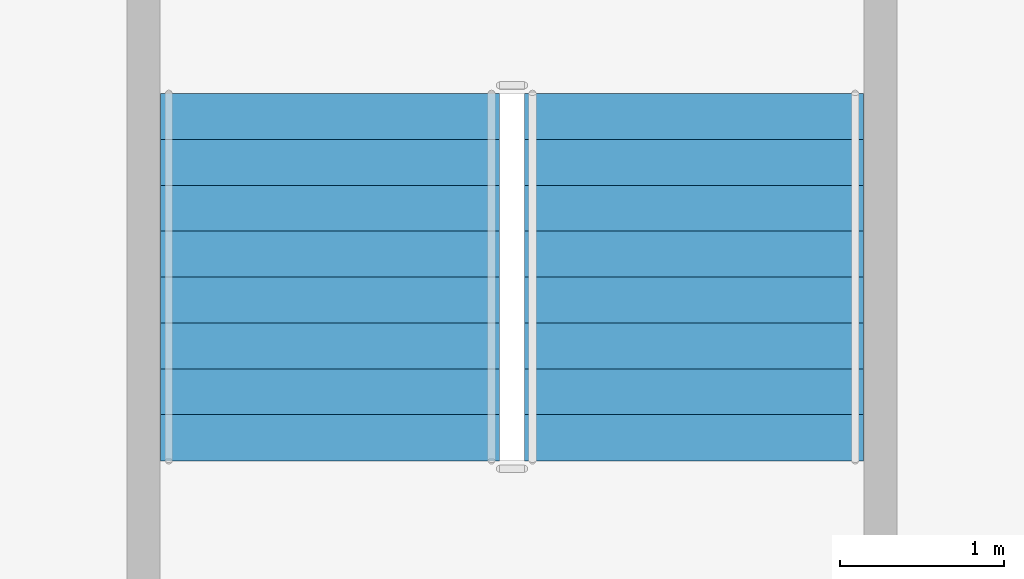
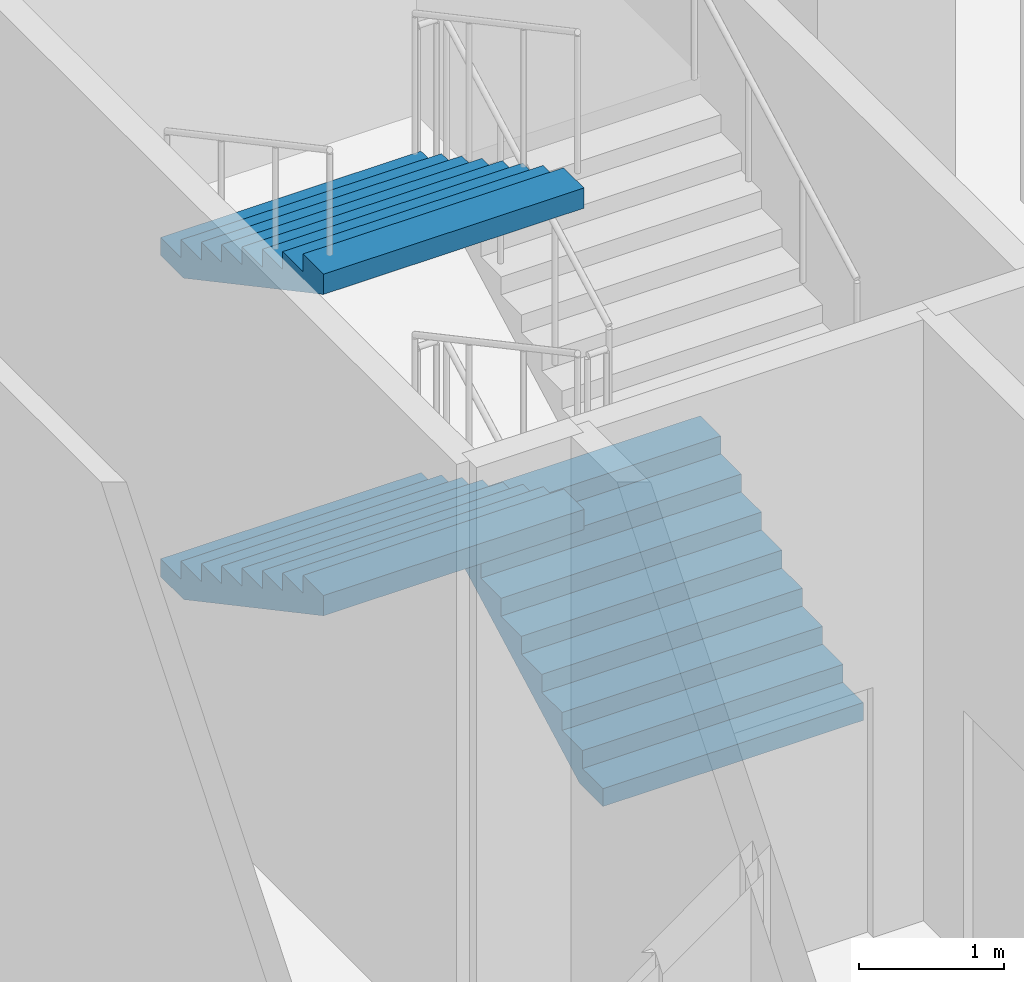
# One storey, part 10 of 27: 3 stair flights, 1 element without a shape of its own.
"""IFC4 building model written with IfcOpenShell, lengths in metres."""

from ifc_helpers import new_model, si_unit, direction, frame, origin, place, context, subcontext, project, spatial, polygons, material, type_object, element, aggregate, save


model = new_model("IFC4")

# Units and contexts
model_context = context("Model", 3, precision=1e-05, world=origin(), true_north=direction((0.0, 1.0)))
body_context = subcontext(model_context, "Body", "Model", "MODEL_VIEW")
ifc_project = project(units=[si_unit("LENGTHUNIT", "METRE"), si_unit("AREAUNIT", "SQUARE_METRE"), si_unit("VOLUMEUNIT", "CUBIC_METRE"), si_unit("PLANEANGLEUNIT", "RADIAN"), si_unit("MASSUNIT", "GRAM", prefix="KILO")], contexts=[model_context])

# Site, building, storey
site_placement = place(None, origin())
site = spatial("IfcSite", under=ifc_project, at=site_placement, CompositionType="ELEMENT")
building_placement = place(site_placement, origin())
building = spatial("IfcBuilding", under=site, at=building_placement, Name="Caravel Reach Hotel and Residences", CompositionType="ELEMENT")
storey_placement = place(building_placement, frame((0.0, 0.0, 6.60009765625)))
storey = spatial("IfcBuildingStorey", under=building, at=storey_placement, Name="L01", CompositionType="ELEMENT", Elevation=6.60009765625)

# Stair, stair flights
ifc_material_1 = material(Name="Concrete C40", Category="concrete")
stair_type = type_object("IfcStairType", Name="Core stair", PredefinedType="HALF_TURN_STAIR", material=ifc_material_1)
stair_placement = place(storey_placement, origin())
stair = element("IfcStair", 1, at=stair_placement, inside=storey, type_object=stair_type, Name="L01 Exit stair P3", PredefinedType="HALF_TURN_STAIR")
ifc_material_2 = material(Name="Concrete C40", Category="concrete")
stair_flight_type = type_object("IfcStairFlightType", Name="Core stair flight", PredefinedType="STRAIGHT", material=ifc_material_2)
stair_flight_1_placement = place(storey_placement, frame((10.110107421875, 13.68994140625, 0.0), z_axis=(0.0, 0.0, 1.0), x_axis=(0.0, 1.0, 0.0)))
stair_flight_1 = element("IfcStairFlight", 2, at=stair_flight_1_placement, type_object=stair_flight_type, Name="ST-P3 flight 1", NumberOfRisers=9, NumberOfTreads=8, PredefinedType="STRAIGHT", RiserHeight=0.15, TreadLength=0.28, context=body_context, shape_type="Tessellation", body=[
    polygons([(0.3174408016601864, 1.0350341796875, 0.0), (0.3174408016601864, 0.6900227864583333, 0.0), (0.3174408016601864, 0.34501139322916663, 0.0), (0.3174408016601864, 0.0, 0.0), (0.3174408016601864, -0.34501139322916674, 0.0), (0.3174408016601864, -0.6900227864583333, 0.0), (0.3174408016601864, -1.0350341796875, 0.0), (2.241, 1.0350341796875, 1.029942427682043), (2.241, 0.6900227864583333, 1.029942427682043), (2.241, 0.34501139322916663, 1.029942427682043), (2.241, 0.0, 1.029942427682043), (2.241, -0.34501139322916674, 1.029942427682043), (2.241, -0.6900227864583333, 1.029942427682043), (2.241, -1.0350341796875, 1.029942427682043), (2.241, 1.0350341796875, 1.2), (2.241, 0.6900227864583333, 1.2), (2.241, 0.34501139322916663, 1.2), (2.241, 0.0, 1.2), (2.241, -0.34501139322916674, 1.2), (2.241, -0.6900227864583333, 1.2), (2.241, -1.0350341796875, 1.2), (1.9600000000000002, 1.0350341796875, 1.2), (1.9600000000000002, 0.6900227864583333, 1.2), (1.9600000000000002, 0.34501139322916663, 1.2), (1.9600000000000002, 0.0, 1.2), (1.9600000000000002, -0.34501139322916674, 1.2), (1.9600000000000002, -0.6900227864583333, 1.2), (1.9600000000000002, -1.0350341796875, 1.2), (1.9600000000000002, 1.0350341796875, 1.05), (1.9600000000000002, 0.6900227864583333, 1.05), (1.9600000000000002, 0.34501139322916663, 1.05), (1.9600000000000002, 0.0, 1.05), (1.9600000000000002, -0.34501139322916674, 1.05), (1.9600000000000002, -0.6900227864583333, 1.05), (1.9600000000000002, -1.0350341796875, 1.05), (1.6800000000000002, 1.0350341796875, 1.05), (1.6800000000000002, 0.6900227864583333, 1.05), (1.6800000000000002, 0.34501139322916663, 1.05), (1.6800000000000002, 0.0, 1.05), (1.6800000000000002, -0.34501139322916674, 1.05), (1.6800000000000002, -0.6900227864583333, 1.05), (1.6800000000000002, -1.0350341796875, 1.05), (1.6800000000000002, 1.0350341796875, 0.8999999999999999), (1.6800000000000002, 0.6900227864583333, 0.8999999999999999), (1.6800000000000002, 0.34501139322916663, 0.8999999999999999), (1.6800000000000002, 0.0, 0.8999999999999999), (1.6800000000000002, -0.34501139322916674, 0.8999999999999999), (1.6800000000000002, -0.6900227864583333, 0.8999999999999999), (1.6800000000000002, -1.0350341796875, 0.8999999999999999), (1.4000000000000001, 1.0350341796875, 0.8999999999999999), (1.4000000000000001, 0.6900227864583333, 0.8999999999999999), (1.4000000000000001, 0.34501139322916663, 0.8999999999999999), (1.4000000000000001, 0.0, 0.8999999999999999), (1.4000000000000001, -0.34501139322916674, 0.8999999999999999), (1.4000000000000001, -0.6900227864583333, 0.8999999999999999), (1.4000000000000001, -1.0350341796875, 0.8999999999999999), (1.4000000000000001, 1.0350341796875, 0.75), (1.4000000000000001, 0.6900227864583333, 0.75), (1.4000000000000001, 0.34501139322916663, 0.75), (1.4000000000000001, 0.0, 0.75), (1.4000000000000001, -0.34501139322916674, 0.75), (1.4000000000000001, -0.6900227864583333, 0.75), (1.4000000000000001, -1.0350341796875, 0.75), (1.12, 1.0350341796875, 0.75), (1.12, 0.6900227864583333, 0.75), (1.12, 0.34501139322916663, 0.75), (1.12, 0.0, 0.75), (1.12, -0.34501139322916674, 0.75), (1.12, -0.6900227864583333, 0.75), (1.12, -1.0350341796875, 0.75), (1.12, 1.0350341796875, 0.6), (1.12, 0.6900227864583333, 0.6), (1.12, 0.34501139322916663, 0.6), (1.12, 0.0, 0.6), (1.12, -0.34501139322916674, 0.6), (1.12, -0.6900227864583333, 0.6), (1.12, -1.0350341796875, 0.6), (0.8400000000000001, 1.0350341796875, 0.6), (0.8400000000000001, 0.6900227864583333, 0.6), (0.8400000000000001, 0.34501139322916663, 0.6), (0.8400000000000001, 0.0, 0.6), (0.8400000000000001, -0.34501139322916674, 0.6), (0.8400000000000001, -0.6900227864583333, 0.6), (0.8400000000000001, -1.0350341796875, 0.6), (0.8400000000000001, 1.0350341796875, 0.44999999999999996), (0.8400000000000001, 0.6900227864583333, 0.44999999999999996), (0.8400000000000001, 0.34501139322916663, 0.44999999999999996), (0.8400000000000001, 0.0, 0.44999999999999996), (0.8400000000000001, -0.34501139322916674, 0.44999999999999996), (0.8400000000000001, -0.6900227864583333, 0.44999999999999996), (0.8400000000000001, -1.0350341796875, 0.44999999999999996), (0.56, 1.0350341796875, 0.44999999999999996), (0.56, 0.6900227864583333, 0.44999999999999996), (0.56, 0.34501139322916663, 0.44999999999999996), (0.56, 0.0, 0.44999999999999996), (0.56, -0.34501139322916674, 0.44999999999999996), (0.56, -0.6900227864583333, 0.44999999999999996), (0.56, -1.0350341796875, 0.44999999999999996), (0.56, 1.0350341796875, 0.3), (0.56, 0.6900227864583333, 0.3), (0.56, 0.34501139322916663, 0.3), (0.56, 0.0, 0.3), (0.56, -0.34501139322916674, 0.3), (0.56, -0.6900227864583333, 0.3), (0.56, -1.0350341796875, 0.3), (0.28, 1.0350341796875, 0.3), (0.28, 0.6900227864583333, 0.3), (0.28, 0.34501139322916663, 0.3), (0.28, 0.0, 0.3), (0.28, -0.34501139322916674, 0.3), (0.28, -0.6900227864583333, 0.3), (0.28, -1.0350341796875, 0.3), (0.28, 1.0350341796875, 0.15), (0.28, 0.6900227864583333, 0.15), (0.28, 0.34501139322916663, 0.15), (0.28, 0.0, 0.15), (0.28, -0.34501139322916674, 0.15), (0.28, -0.6900227864583333, 0.15), (0.28, -1.0350341796875, 0.15), (-0.001, 1.0350341796875, 0.15), (-0.001, 0.6900227864583333, 0.15), (-0.001, 0.34501139322916663, 0.15), (-0.001, 0.0, 0.15), (-0.001, -0.34501139322916674, 0.15), (-0.001, -0.6900227864583333, 0.15), (-0.001, -1.0350341796875, 0.15), (-0.001, 1.0350341796875, 0.0), (-0.001, 0.6900227864583333, 0.0), (-0.001, 0.34501139322916663, 0.0), (-0.001, 0.0, 0.0), (-0.001, -0.34501139322916674, 0.0), (-0.001, -0.6900227864583333, 0.0), (-0.001, -1.0350341796875, 0.0)], [[[127, 120, 113, 106, 99, 92, 85, 78, 71, 64, 57, 50, 43, 36, 29, 22, 15, 8, 1]], [[7, 14, 21, 28, 35, 42, 49, 56, 63, 70, 77, 84, 91, 98, 105, 112, 119, 126, 133]], [[1, 8, 9, 2]], [[2, 9, 10, 3]], [[3, 10, 11, 4]], [[4, 11, 12, 5]], [[5, 12, 13, 6]], [[6, 13, 14, 7]], [[8, 15, 16, 9]], [[9, 16, 17, 10]], [[10, 17, 18, 11]], [[11, 18, 19, 12]], [[12, 19, 20, 13]], [[13, 20, 21, 14]], [[15, 22, 23, 16]], [[16, 23, 24, 17]], [[17, 24, 25, 18]], [[18, 25, 26, 19]], [[19, 26, 27, 20]], [[20, 27, 28, 21]], [[22, 29, 30, 23]], [[23, 30, 31, 24]], [[24, 31, 32, 25]], [[25, 32, 33, 26]], [[26, 33, 34, 27]], [[27, 34, 35, 28]], [[29, 36, 37, 30]], [[30, 37, 38, 31]], [[31, 38, 39, 32]], [[32, 39, 40, 33]], [[33, 40, 41, 34]], [[34, 41, 42, 35]], [[36, 43, 44, 37]], [[37, 44, 45, 38]], [[38, 45, 46, 39]], [[39, 46, 47, 40]], [[40, 47, 48, 41]], [[41, 48, 49, 42]], [[43, 50, 51, 44]], [[44, 51, 52, 45]], [[45, 52, 53, 46]], [[46, 53, 54, 47]], [[47, 54, 55, 48]], [[48, 55, 56, 49]], [[50, 57, 58, 51]], [[51, 58, 59, 52]], [[52, 59, 60, 53]], [[53, 60, 61, 54]], [[54, 61, 62, 55]], [[55, 62, 63, 56]], [[57, 64, 65, 58]], [[58, 65, 66, 59]], [[59, 66, 67, 60]], [[60, 67, 68, 61]], [[61, 68, 69, 62]], [[62, 69, 70, 63]], [[64, 71, 72, 65]], [[65, 72, 73, 66]], [[66, 73, 74, 67]], [[67, 74, 75, 68]], [[68, 75, 76, 69]], [[69, 76, 77, 70]], [[71, 78, 79, 72]], [[72, 79, 80, 73]], [[73, 80, 81, 74]], [[74, 81, 82, 75]], [[75, 82, 83, 76]], [[76, 83, 84, 77]], [[78, 85, 86, 79]], [[79, 86, 87, 80]], [[80, 87, 88, 81]], [[81, 88, 89, 82]], [[82, 89, 90, 83]], [[83, 90, 91, 84]], [[85, 92, 93, 86]], [[86, 93, 94, 87]], [[87, 94, 95, 88]], [[88, 95, 96, 89]], [[89, 96, 97, 90]], [[90, 97, 98, 91]], [[92, 99, 100, 93]], [[93, 100, 101, 94]], [[94, 101, 102, 95]], [[95, 102, 103, 96]], [[96, 103, 104, 97]], [[97, 104, 105, 98]], [[99, 106, 107, 100]], [[100, 107, 108, 101]], [[101, 108, 109, 102]], [[102, 109, 110, 103]], [[103, 110, 111, 104]], [[104, 111, 112, 105]], [[106, 113, 114, 107]], [[107, 114, 115, 108]], [[108, 115, 116, 109]], [[109, 116, 117, 110]], [[110, 117, 118, 111]], [[111, 118, 119, 112]], [[113, 120, 121, 114]], [[114, 121, 122, 115]], [[115, 122, 123, 116]], [[116, 123, 124, 117]], [[117, 124, 125, 118]], [[118, 125, 126, 119]], [[120, 127, 128, 121]], [[121, 128, 129, 122]], [[122, 129, 130, 123]], [[123, 130, 131, 124]], [[124, 131, 132, 125]], [[125, 132, 133, 126]], [[127, 1, 2, 128]], [[128, 2, 3, 129]], [[129, 3, 4, 130]], [[130, 4, 5, 131]], [[131, 5, 6, 132]], [[132, 6, 7, 133]]], closed=True),
])
stair_flight_2_placement = place(storey_placement, frame((7.889892578125, 15.929931640625, 1.349853515625), z_axis=(0.0, 0.0, 1.0), x_axis=(0.0, -1.0, 0.0)))
stair_flight_2 = element("IfcStairFlight", 3, at=stair_flight_2_placement, type_object=stair_flight_type, Name="ST-P3 flight 2", NumberOfRisers=9, NumberOfTreads=8, PredefinedType="STRAIGHT", RiserHeight=0.15, TreadLength=0.28, context=body_context, shape_type="Tessellation", body=[
    polygons([(0.3174408016601864, 1.0350341796875, 0.0), (0.3174408016601864, 0.6900227864583333, 0.0), (0.3174408016601864, 0.34501139322916663, 0.0), (0.3174408016601864, 0.0, 0.0), (0.3174408016601864, -0.34501139322916674, 0.0), (0.3174408016601864, -0.6900227864583333, 0.0), (0.3174408016601864, -1.0350341796875, 0.0), (2.241, 1.0350341796875, 1.029942427682043), (2.241, 0.6900227864583333, 1.029942427682043), (2.241, 0.34501139322916663, 1.029942427682043), (2.241, 0.0, 1.029942427682043), (2.241, -0.34501139322916674, 1.029942427682043), (2.241, -0.6900227864583333, 1.029942427682043), (2.241, -1.0350341796875, 1.029942427682043), (2.241, 1.0350341796875, 1.2), (2.241, 0.6900227864583333, 1.2), (2.241, 0.34501139322916663, 1.2), (2.241, 0.0, 1.2), (2.241, -0.34501139322916674, 1.2), (2.241, -0.6900227864583333, 1.2), (2.241, -1.0350341796875, 1.2), (1.9600000000000002, 1.0350341796875, 1.2), (1.9600000000000002, 0.6900227864583333, 1.2), (1.9600000000000002, 0.34501139322916663, 1.2), (1.9600000000000002, 0.0, 1.2), (1.9600000000000002, -0.34501139322916674, 1.2), (1.9600000000000002, -0.6900227864583333, 1.2), (1.9600000000000002, -1.0350341796875, 1.2), (1.9600000000000002, 1.0350341796875, 1.05), (1.9600000000000002, 0.6900227864583333, 1.05), (1.9600000000000002, 0.34501139322916663, 1.05), (1.9600000000000002, 0.0, 1.05), (1.9600000000000002, -0.34501139322916674, 1.05), (1.9600000000000002, -0.6900227864583333, 1.05), (1.9600000000000002, -1.0350341796875, 1.05), (1.6800000000000002, 1.0350341796875, 1.05), (1.6800000000000002, 0.6900227864583333, 1.05), (1.6800000000000002, 0.34501139322916663, 1.05), (1.6800000000000002, 0.0, 1.05), (1.6800000000000002, -0.34501139322916674, 1.05), (1.6800000000000002, -0.6900227864583333, 1.05), (1.6800000000000002, -1.0350341796875, 1.05), (1.6800000000000002, 1.0350341796875, 0.8999999999999999), (1.6800000000000002, 0.6900227864583333, 0.8999999999999999), (1.6800000000000002, 0.34501139322916663, 0.8999999999999999), (1.6800000000000002, 0.0, 0.8999999999999999), (1.6800000000000002, -0.34501139322916674, 0.8999999999999999), (1.6800000000000002, -0.6900227864583333, 0.8999999999999999), (1.6800000000000002, -1.0350341796875, 0.8999999999999999), (1.4000000000000001, 1.0350341796875, 0.8999999999999999), (1.4000000000000001, 0.6900227864583333, 0.8999999999999999), (1.4000000000000001, 0.34501139322916663, 0.8999999999999999), (1.4000000000000001, 0.0, 0.8999999999999999), (1.4000000000000001, -0.34501139322916674, 0.8999999999999999), (1.4000000000000001, -0.6900227864583333, 0.8999999999999999), (1.4000000000000001, -1.0350341796875, 0.8999999999999999), (1.4000000000000001, 1.0350341796875, 0.75), (1.4000000000000001, 0.6900227864583333, 0.75), (1.4000000000000001, 0.34501139322916663, 0.75), (1.4000000000000001, 0.0, 0.75), (1.4000000000000001, -0.34501139322916674, 0.75), (1.4000000000000001, -0.6900227864583333, 0.75), (1.4000000000000001, -1.0350341796875, 0.75), (1.12, 1.0350341796875, 0.75), (1.12, 0.6900227864583333, 0.75), (1.12, 0.34501139322916663, 0.75), (1.12, 0.0, 0.75), (1.12, -0.34501139322916674, 0.75), (1.12, -0.6900227864583333, 0.75), (1.12, -1.0350341796875, 0.75), (1.12, 1.0350341796875, 0.6), (1.12, 0.6900227864583333, 0.6), (1.12, 0.34501139322916663, 0.6), (1.12, 0.0, 0.6), (1.12, -0.34501139322916674, 0.6), (1.12, -0.6900227864583333, 0.6), (1.12, -1.0350341796875, 0.6), (0.8400000000000001, 1.0350341796875, 0.6), (0.8400000000000001, 0.6900227864583333, 0.6), (0.8400000000000001, 0.34501139322916663, 0.6), (0.8400000000000001, 0.0, 0.6), (0.8400000000000001, -0.34501139322916674, 0.6), (0.8400000000000001, -0.6900227864583333, 0.6), (0.8400000000000001, -1.0350341796875, 0.6), (0.8400000000000001, 1.0350341796875, 0.44999999999999996), (0.8400000000000001, 0.6900227864583333, 0.44999999999999996), (0.8400000000000001, 0.34501139322916663, 0.44999999999999996), (0.8400000000000001, 0.0, 0.44999999999999996), (0.8400000000000001, -0.34501139322916674, 0.44999999999999996), (0.8400000000000001, -0.6900227864583333, 0.44999999999999996), (0.8400000000000001, -1.0350341796875, 0.44999999999999996), (0.56, 1.0350341796875, 0.44999999999999996), (0.56, 0.6900227864583333, 0.44999999999999996), (0.56, 0.34501139322916663, 0.44999999999999996), (0.56, 0.0, 0.44999999999999996), (0.56, -0.34501139322916674, 0.44999999999999996), (0.56, -0.6900227864583333, 0.44999999999999996), (0.56, -1.0350341796875, 0.44999999999999996), (0.56, 1.0350341796875, 0.3), (0.56, 0.6900227864583333, 0.3), (0.56, 0.34501139322916663, 0.3), (0.56, 0.0, 0.3), (0.56, -0.34501139322916674, 0.3), (0.56, -0.6900227864583333, 0.3), (0.56, -1.0350341796875, 0.3), (0.28, 1.0350341796875, 0.3), (0.28, 0.6900227864583333, 0.3), (0.28, 0.34501139322916663, 0.3), (0.28, 0.0, 0.3), (0.28, -0.34501139322916674, 0.3), (0.28, -0.6900227864583333, 0.3), (0.28, -1.0350341796875, 0.3), (0.28, 1.0350341796875, 0.15), (0.28, 0.6900227864583333, 0.15), (0.28, 0.34501139322916663, 0.15), (0.28, 0.0, 0.15), (0.28, -0.34501139322916674, 0.15), (0.28, -0.6900227864583333, 0.15), (0.28, -1.0350341796875, 0.15), (-0.001, 1.0350341796875, 0.15), (-0.001, 0.6900227864583333, 0.15), (-0.001, 0.34501139322916663, 0.15), (-0.001, 0.0, 0.15), (-0.001, -0.34501139322916674, 0.15), (-0.001, -0.6900227864583333, 0.15), (-0.001, -1.0350341796875, 0.15), (-0.001, 1.0350341796875, 0.0), (-0.001, 0.6900227864583333, 0.0), (-0.001, 0.34501139322916663, 0.0), (-0.001, 0.0, 0.0), (-0.001, -0.34501139322916674, 0.0), (-0.001, -0.6900227864583333, 0.0), (-0.001, -1.0350341796875, 0.0)], [[[127, 120, 113, 106, 99, 92, 85, 78, 71, 64, 57, 50, 43, 36, 29, 22, 15, 8, 1]], [[7, 14, 21, 28, 35, 42, 49, 56, 63, 70, 77, 84, 91, 98, 105, 112, 119, 126, 133]], [[1, 8, 9, 2]], [[2, 9, 10, 3]], [[3, 10, 11, 4]], [[4, 11, 12, 5]], [[5, 12, 13, 6]], [[6, 13, 14, 7]], [[8, 15, 16, 9]], [[9, 16, 17, 10]], [[10, 17, 18, 11]], [[11, 18, 19, 12]], [[12, 19, 20, 13]], [[13, 20, 21, 14]], [[15, 22, 23, 16]], [[16, 23, 24, 17]], [[17, 24, 25, 18]], [[18, 25, 26, 19]], [[19, 26, 27, 20]], [[20, 27, 28, 21]], [[22, 29, 30, 23]], [[23, 30, 31, 24]], [[24, 31, 32, 25]], [[25, 32, 33, 26]], [[26, 33, 34, 27]], [[27, 34, 35, 28]], [[29, 36, 37, 30]], [[30, 37, 38, 31]], [[31, 38, 39, 32]], [[32, 39, 40, 33]], [[33, 40, 41, 34]], [[34, 41, 42, 35]], [[36, 43, 44, 37]], [[37, 44, 45, 38]], [[38, 45, 46, 39]], [[39, 46, 47, 40]], [[40, 47, 48, 41]], [[41, 48, 49, 42]], [[43, 50, 51, 44]], [[44, 51, 52, 45]], [[45, 52, 53, 46]], [[46, 53, 54, 47]], [[47, 54, 55, 48]], [[48, 55, 56, 49]], [[50, 57, 58, 51]], [[51, 58, 59, 52]], [[52, 59, 60, 53]], [[53, 60, 61, 54]], [[54, 61, 62, 55]], [[55, 62, 63, 56]], [[57, 64, 65, 58]], [[58, 65, 66, 59]], [[59, 66, 67, 60]], [[60, 67, 68, 61]], [[61, 68, 69, 62]], [[62, 69, 70, 63]], [[64, 71, 72, 65]], [[65, 72, 73, 66]], [[66, 73, 74, 67]], [[67, 74, 75, 68]], [[68, 75, 76, 69]], [[69, 76, 77, 70]], [[71, 78, 79, 72]], [[72, 79, 80, 73]], [[73, 80, 81, 74]], [[74, 81, 82, 75]], [[75, 82, 83, 76]], [[76, 83, 84, 77]], [[78, 85, 86, 79]], [[79, 86, 87, 80]], [[80, 87, 88, 81]], [[81, 88, 89, 82]], [[82, 89, 90, 83]], [[83, 90, 91, 84]], [[85, 92, 93, 86]], [[86, 93, 94, 87]], [[87, 94, 95, 88]], [[88, 95, 96, 89]], [[89, 96, 97, 90]], [[90, 97, 98, 91]], [[92, 99, 100, 93]], [[93, 100, 101, 94]], [[94, 101, 102, 95]], [[95, 102, 103, 96]], [[96, 103, 104, 97]], [[97, 104, 105, 98]], [[99, 106, 107, 100]], [[100, 107, 108, 101]], [[101, 108, 109, 102]], [[102, 109, 110, 103]], [[103, 110, 111, 104]], [[104, 111, 112, 105]], [[106, 113, 114, 107]], [[107, 114, 115, 108]], [[108, 115, 116, 109]], [[109, 116, 117, 110]], [[110, 117, 118, 111]], [[111, 118, 119, 112]], [[113, 120, 121, 114]], [[114, 121, 122, 115]], [[115, 122, 123, 116]], [[116, 123, 124, 117]], [[117, 124, 125, 118]], [[118, 125, 126, 119]], [[120, 127, 128, 121]], [[121, 128, 129, 122]], [[122, 129, 130, 123]], [[123, 130, 131, 124]], [[124, 131, 132, 125]], [[125, 132, 133, 126]], [[127, 1, 2, 128]], [[128, 2, 3, 129]], [[129, 3, 4, 130]], [[130, 4, 5, 131]], [[131, 5, 6, 132]], [[132, 6, 7, 133]]], closed=True),
])
stair_flight_3_placement = place(storey_placement, frame((7.889892578125, 15.929931640625, 4.0498046875), z_axis=(0.0, 0.0, 1.0), x_axis=(0.0, -1.0, 0.0)))
stair_flight_3 = element("IfcStairFlight", 4, at=stair_flight_3_placement, type_object=stair_flight_type, Name="ST-P3 flight 4", NumberOfRisers=9, NumberOfTreads=8, PredefinedType="STRAIGHT", RiserHeight=0.15, TreadLength=0.28, context=body_context, shape_type="Tessellation", body=[
    polygons([(0.3174408016601864, 1.0350341796875, 0.0), (0.3174408016601864, 0.6900227864583333, 0.0), (0.3174408016601864, 0.34501139322916663, 0.0), (0.3174408016601864, 0.0, 0.0), (0.3174408016601864, -0.34501139322916674, 0.0), (0.3174408016601864, -0.6900227864583333, 0.0), (0.3174408016601864, -1.0350341796875, 0.0), (2.241, 1.0350341796875, 1.029942427682043), (2.241, 0.6900227864583333, 1.029942427682043), (2.241, 0.34501139322916663, 1.029942427682043), (2.241, 0.0, 1.029942427682043), (2.241, -0.34501139322916674, 1.029942427682043), (2.241, -0.6900227864583333, 1.029942427682043), (2.241, -1.0350341796875, 1.029942427682043), (2.241, 1.0350341796875, 1.2), (2.241, 0.6900227864583333, 1.2), (2.241, 0.34501139322916663, 1.2), (2.241, 0.0, 1.2), (2.241, -0.34501139322916674, 1.2), (2.241, -0.6900227864583333, 1.2), (2.241, -1.0350341796875, 1.2), (1.9600000000000002, 1.0350341796875, 1.2), (1.9600000000000002, 0.6900227864583333, 1.2), (1.9600000000000002, 0.34501139322916663, 1.2), (1.9600000000000002, 0.0, 1.2), (1.9600000000000002, -0.34501139322916674, 1.2), (1.9600000000000002, -0.6900227864583333, 1.2), (1.9600000000000002, -1.0350341796875, 1.2), (1.9600000000000002, 1.0350341796875, 1.05), (1.9600000000000002, 0.6900227864583333, 1.05), (1.9600000000000002, 0.34501139322916663, 1.05), (1.9600000000000002, 0.0, 1.05), (1.9600000000000002, -0.34501139322916674, 1.05), (1.9600000000000002, -0.6900227864583333, 1.05), (1.9600000000000002, -1.0350341796875, 1.05), (1.6800000000000002, 1.0350341796875, 1.05), (1.6800000000000002, 0.6900227864583333, 1.05), (1.6800000000000002, 0.34501139322916663, 1.05), (1.6800000000000002, 0.0, 1.05), (1.6800000000000002, -0.34501139322916674, 1.05), (1.6800000000000002, -0.6900227864583333, 1.05), (1.6800000000000002, -1.0350341796875, 1.05), (1.6800000000000002, 1.0350341796875, 0.8999999999999999), (1.6800000000000002, 0.6900227864583333, 0.8999999999999999), (1.6800000000000002, 0.34501139322916663, 0.8999999999999999), (1.6800000000000002, 0.0, 0.8999999999999999), (1.6800000000000002, -0.34501139322916674, 0.8999999999999999), (1.6800000000000002, -0.6900227864583333, 0.8999999999999999), (1.6800000000000002, -1.0350341796875, 0.8999999999999999), (1.4000000000000001, 1.0350341796875, 0.8999999999999999), (1.4000000000000001, 0.6900227864583333, 0.8999999999999999), (1.4000000000000001, 0.34501139322916663, 0.8999999999999999), (1.4000000000000001, 0.0, 0.8999999999999999), (1.4000000000000001, -0.34501139322916674, 0.8999999999999999), (1.4000000000000001, -0.6900227864583333, 0.8999999999999999), (1.4000000000000001, -1.0350341796875, 0.8999999999999999), (1.4000000000000001, 1.0350341796875, 0.75), (1.4000000000000001, 0.6900227864583333, 0.75), (1.4000000000000001, 0.34501139322916663, 0.75), (1.4000000000000001, 0.0, 0.75), (1.4000000000000001, -0.34501139322916674, 0.75), (1.4000000000000001, -0.6900227864583333, 0.75), (1.4000000000000001, -1.0350341796875, 0.75), (1.12, 1.0350341796875, 0.75), (1.12, 0.6900227864583333, 0.75), (1.12, 0.34501139322916663, 0.75), (1.12, 0.0, 0.75), (1.12, -0.34501139322916674, 0.75), (1.12, -0.6900227864583333, 0.75), (1.12, -1.0350341796875, 0.75), (1.12, 1.0350341796875, 0.6), (1.12, 0.6900227864583333, 0.6), (1.12, 0.34501139322916663, 0.6), (1.12, 0.0, 0.6), (1.12, -0.34501139322916674, 0.6), (1.12, -0.6900227864583333, 0.6), (1.12, -1.0350341796875, 0.6), (0.8400000000000001, 1.0350341796875, 0.6), (0.8400000000000001, 0.6900227864583333, 0.6), (0.8400000000000001, 0.34501139322916663, 0.6), (0.8400000000000001, 0.0, 0.6), (0.8400000000000001, -0.34501139322916674, 0.6), (0.8400000000000001, -0.6900227864583333, 0.6), (0.8400000000000001, -1.0350341796875, 0.6), (0.8400000000000001, 1.0350341796875, 0.44999999999999996), (0.8400000000000001, 0.6900227864583333, 0.44999999999999996), (0.8400000000000001, 0.34501139322916663, 0.44999999999999996), (0.8400000000000001, 0.0, 0.44999999999999996), (0.8400000000000001, -0.34501139322916674, 0.44999999999999996), (0.8400000000000001, -0.6900227864583333, 0.44999999999999996), (0.8400000000000001, -1.0350341796875, 0.44999999999999996), (0.56, 1.0350341796875, 0.44999999999999996), (0.56, 0.6900227864583333, 0.44999999999999996), (0.56, 0.34501139322916663, 0.44999999999999996), (0.56, 0.0, 0.44999999999999996), (0.56, -0.34501139322916674, 0.44999999999999996), (0.56, -0.6900227864583333, 0.44999999999999996), (0.56, -1.0350341796875, 0.44999999999999996), (0.56, 1.0350341796875, 0.3), (0.56, 0.6900227864583333, 0.3), (0.56, 0.34501139322916663, 0.3), (0.56, 0.0, 0.3), (0.56, -0.34501139322916674, 0.3), (0.56, -0.6900227864583333, 0.3), (0.56, -1.0350341796875, 0.3), (0.28, 1.0350341796875, 0.3), (0.28, 0.6900227864583333, 0.3), (0.28, 0.34501139322916663, 0.3), (0.28, 0.0, 0.3), (0.28, -0.34501139322916674, 0.3), (0.28, -0.6900227864583333, 0.3), (0.28, -1.0350341796875, 0.3), (0.28, 1.0350341796875, 0.15), (0.28, 0.6900227864583333, 0.15), (0.28, 0.34501139322916663, 0.15), (0.28, 0.0, 0.15), (0.28, -0.34501139322916674, 0.15), (0.28, -0.6900227864583333, 0.15), (0.28, -1.0350341796875, 0.15), (-0.001, 1.0350341796875, 0.15), (-0.001, 0.6900227864583333, 0.15), (-0.001, 0.34501139322916663, 0.15), (-0.001, 0.0, 0.15), (-0.001, -0.34501139322916674, 0.15), (-0.001, -0.6900227864583333, 0.15), (-0.001, -1.0350341796875, 0.15), (-0.001, 1.0350341796875, 0.0), (-0.001, 0.6900227864583333, 0.0), (-0.001, 0.34501139322916663, 0.0), (-0.001, 0.0, 0.0), (-0.001, -0.34501139322916674, 0.0), (-0.001, -0.6900227864583333, 0.0), (-0.001, -1.0350341796875, 0.0)], [[[127, 120, 113, 106, 99, 92, 85, 78, 71, 64, 57, 50, 43, 36, 29, 22, 15, 8, 1]], [[7, 14, 21, 28, 35, 42, 49, 56, 63, 70, 77, 84, 91, 98, 105, 112, 119, 126, 133]], [[1, 8, 9, 2]], [[2, 9, 10, 3]], [[3, 10, 11, 4]], [[4, 11, 12, 5]], [[5, 12, 13, 6]], [[6, 13, 14, 7]], [[8, 15, 16, 9]], [[9, 16, 17, 10]], [[10, 17, 18, 11]], [[11, 18, 19, 12]], [[12, 19, 20, 13]], [[13, 20, 21, 14]], [[15, 22, 23, 16]], [[16, 23, 24, 17]], [[17, 24, 25, 18]], [[18, 25, 26, 19]], [[19, 26, 27, 20]], [[20, 27, 28, 21]], [[22, 29, 30, 23]], [[23, 30, 31, 24]], [[24, 31, 32, 25]], [[25, 32, 33, 26]], [[26, 33, 34, 27]], [[27, 34, 35, 28]], [[29, 36, 37, 30]], [[30, 37, 38, 31]], [[31, 38, 39, 32]], [[32, 39, 40, 33]], [[33, 40, 41, 34]], [[34, 41, 42, 35]], [[36, 43, 44, 37]], [[37, 44, 45, 38]], [[38, 45, 46, 39]], [[39, 46, 47, 40]], [[40, 47, 48, 41]], [[41, 48, 49, 42]], [[43, 50, 51, 44]], [[44, 51, 52, 45]], [[45, 52, 53, 46]], [[46, 53, 54, 47]], [[47, 54, 55, 48]], [[48, 55, 56, 49]], [[50, 57, 58, 51]], [[51, 58, 59, 52]], [[52, 59, 60, 53]], [[53, 60, 61, 54]], [[54, 61, 62, 55]], [[55, 62, 63, 56]], [[57, 64, 65, 58]], [[58, 65, 66, 59]], [[59, 66, 67, 60]], [[60, 67, 68, 61]], [[61, 68, 69, 62]], [[62, 69, 70, 63]], [[64, 71, 72, 65]], [[65, 72, 73, 66]], [[66, 73, 74, 67]], [[67, 74, 75, 68]], [[68, 75, 76, 69]], [[69, 76, 77, 70]], [[71, 78, 79, 72]], [[72, 79, 80, 73]], [[73, 80, 81, 74]], [[74, 81, 82, 75]], [[75, 82, 83, 76]], [[76, 83, 84, 77]], [[78, 85, 86, 79]], [[79, 86, 87, 80]], [[80, 87, 88, 81]], [[81, 88, 89, 82]], [[82, 89, 90, 83]], [[83, 90, 91, 84]], [[85, 92, 93, 86]], [[86, 93, 94, 87]], [[87, 94, 95, 88]], [[88, 95, 96, 89]], [[89, 96, 97, 90]], [[90, 97, 98, 91]], [[92, 99, 100, 93]], [[93, 100, 101, 94]], [[94, 101, 102, 95]], [[95, 102, 103, 96]], [[96, 103, 104, 97]], [[97, 104, 105, 98]], [[99, 106, 107, 100]], [[100, 107, 108, 101]], [[101, 108, 109, 102]], [[102, 109, 110, 103]], [[103, 110, 111, 104]], [[104, 111, 112, 105]], [[106, 113, 114, 107]], [[107, 114, 115, 108]], [[108, 115, 116, 109]], [[109, 116, 117, 110]], [[110, 117, 118, 111]], [[111, 118, 119, 112]], [[113, 120, 121, 114]], [[114, 121, 122, 115]], [[115, 122, 123, 116]], [[116, 123, 124, 117]], [[117, 124, 125, 118]], [[118, 125, 126, 119]], [[120, 127, 128, 121]], [[121, 128, 129, 122]], [[122, 129, 130, 123]], [[123, 130, 131, 124]], [[124, 131, 132, 125]], [[125, 132, 133, 126]], [[127, 1, 2, 128]], [[128, 2, 3, 129]], [[129, 3, 4, 130]], [[130, 4, 5, 131]], [[131, 5, 6, 132]], [[132, 6, 7, 133]]], closed=True),
])
aggregate(stair, [stair_flight_1, stair_flight_2, stair_flight_3])

save(model, "model.ifc")
